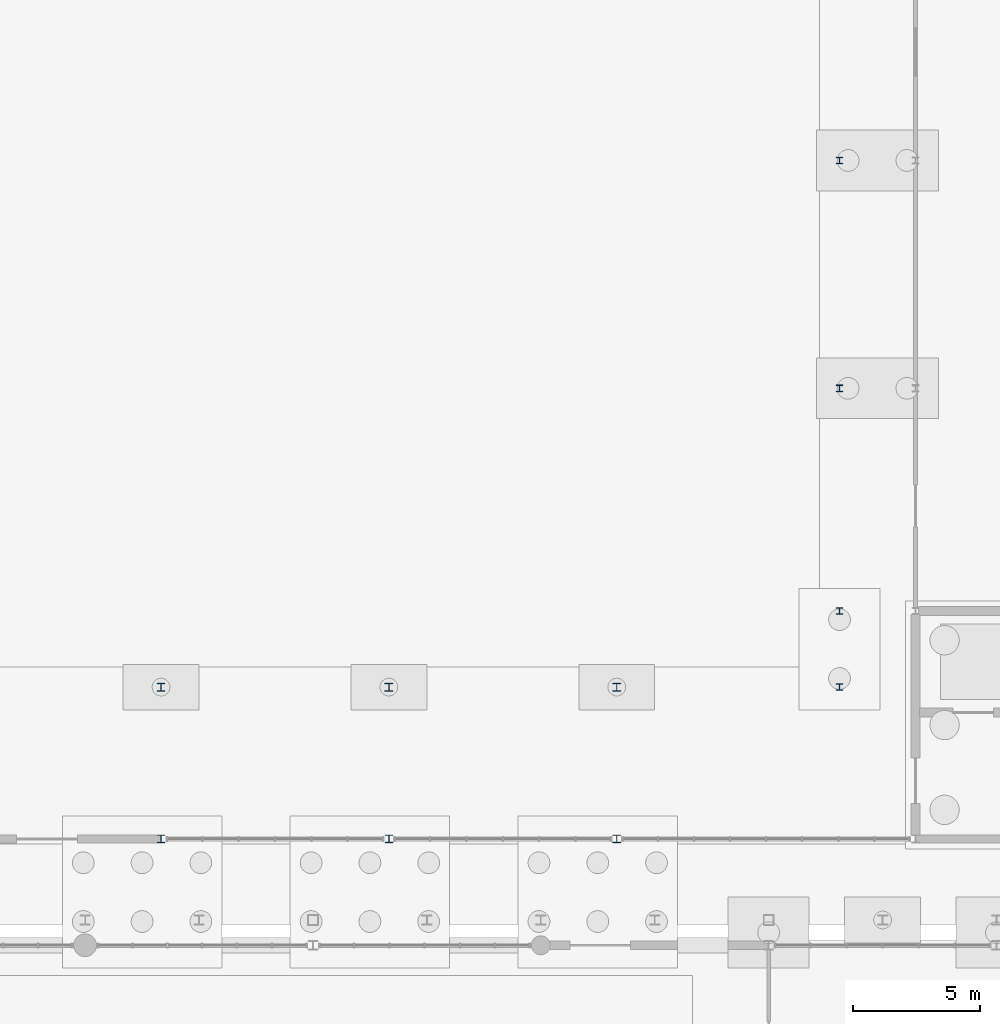
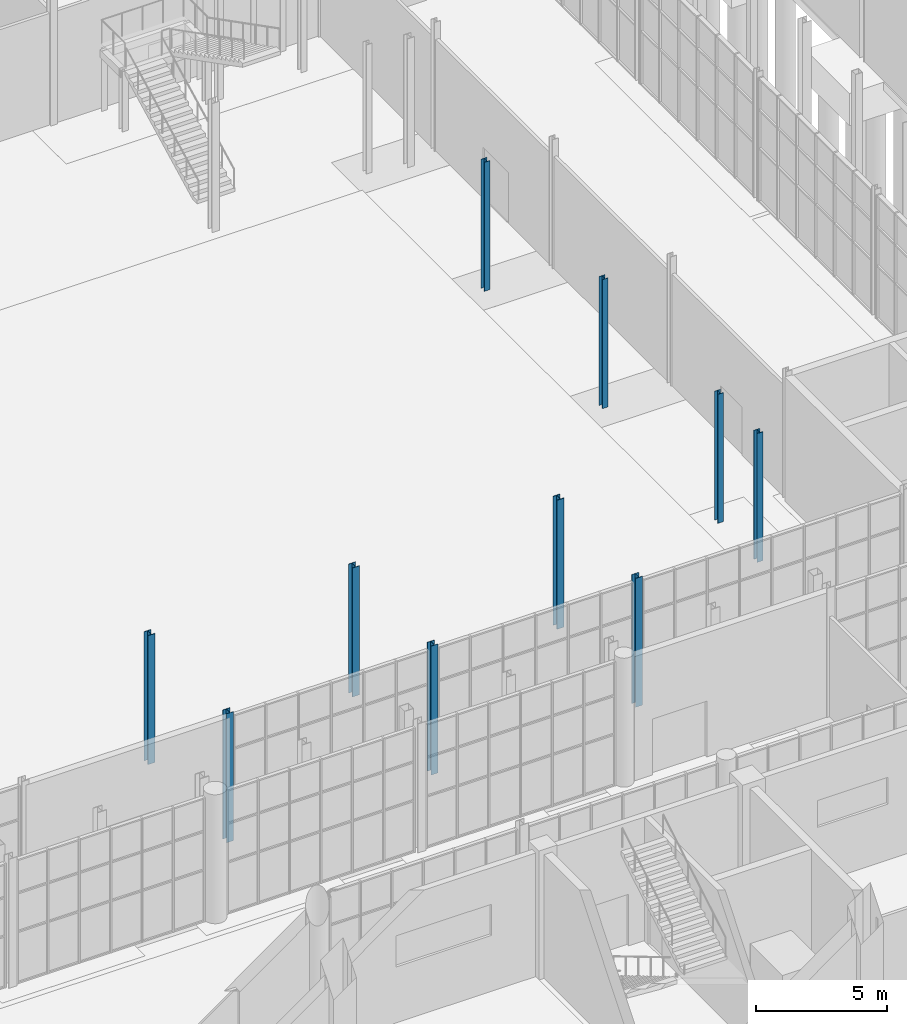
# One storey, part 31 of 131: 10 columns.
"""IFC4 building model written with IfcOpenShell, lengths in metres."""

import ifcopenshell
import ifcopenshell.guid

model = None  # the IFC model being written
_history = None  # IfcOwnerHistory: only IFC2X3 demands one
_inside = {}  # id of a spatial element -> (the spatial element, [elements in it])
_under = {}  # id of a project, library or spatial element -> (it, [spatial elements below it])
_declared = {}  # id of a project -> (the project, [libraries it declares])
_typed = {}  # id of a type object -> (the type object, [elements of that type])
_made_of = {}  # id of a material, layer set ... -> (it, [elements and type objects made of it])


def new_model(schema):
    """Start an empty IFC model of exactly this schema.

    Asked for "IFC4X3", IfcOpenShell would pick the latest addendum, in which some entities
    have other attributes; the version numbers below select the first issue.
    IFC2X3 requires an IfcOwnerHistory on every rooted entity: one is made here for all.
    """
    global model, _history
    if schema == "IFC4X3":
        model = ifcopenshell.file(schema_version=(4, 3, 0, 0))
    else:
        model = ifcopenshell.file(schema=schema)
    _inside.clear()
    _under.clear()
    _declared.clear()
    _typed.clear()
    _made_of.clear()
    _history = None
    if model.schema == "IFC2X3":
        org = make("IfcOrganization", Name="unknown")
        user = make(
            "IfcPersonAndOrganization",
            ThePerson=make("IfcPerson", FamilyName="unknown"),
            TheOrganization=org,
        )
        app = make(
            "IfcApplication",
            ApplicationDeveloper=org,
            Version="unknown",
            ApplicationFullName="unknown",
            ApplicationIdentifier="unknown",
        )
        _history = make(
            "IfcOwnerHistory",
            OwningUser=user,
            OwningApplication=app,
            ChangeAction="ADDED",
            CreationDate=0,
        )
    return model


def make(cls, **values):
    """One entity of the class cls with the attributes given. An attribute that is None is left unset."""
    return model.create_entity(
        cls, **{name: value for name, value in values.items() if value is not None}
    )


def rooted(cls, **values):
    """An entity with a GlobalId (a new one), such as an element, a storey or a relation."""
    return make(cls, GlobalId=ifcopenshell.guid.new(), OwnerHistory=_history, **values)


def si_unit(unit_type, name, prefix=None):
    """IfcSIUnit, for example si_unit("LENGTHUNIT", "METRE", prefix="MILLI")."""
    return make("IfcSIUnit", UnitType=unit_type, Prefix=prefix, Name=name)


def assignment(units):
    """IfcUnitAssignment: the units of a project."""
    return None if units is None else make("IfcUnitAssignment", Units=units)


def point(xyz):
    """IfcCartesianPoint."""
    return None if xyz is None else make("IfcCartesianPoint", Coordinates=xyz)


def direction(xyz):
    """IfcDirection."""
    return None if xyz is None else make("IfcDirection", DirectionRatios=xyz)


def frame(location, z_axis=None, x_axis=None):
    """IfcAxis2Placement3D, a coordinate frame: its origin and axes. An axis left out is left unset."""
    return make(
        "IfcAxis2Placement3D",
        Location=point(location),
        Axis=direction(z_axis),
        RefDirection=direction(x_axis),
    )


def frame_2d(location, x_axis=None):
    """IfcAxis2Placement2D, a coordinate frame in the plane: its origin and x axis."""
    return make(
        "IfcAxis2Placement2D", Location=point(location), RefDirection=direction(x_axis)
    )


def origin():
    """The frame at (0, 0, 0) with its axes left unset."""
    return frame((0.0, 0.0, 0.0))


def origin_2d():
    """The frame at (0, 0) in the plane with its x axis left unset."""
    return frame_2d((0.0, 0.0))


def place(relative_to, where):
    """IfcLocalPlacement: puts the frame where relative to a parent placement (None: the world)."""
    return make(
        "IfcLocalPlacement", PlacementRelTo=relative_to, RelativePlacement=where
    )


def context(
    kind, dimensions, precision=None, world=None, true_north=None, identifier=None
):
    """IfcGeometricRepresentationContext, for example the 3D "Model" context."""
    return make(
        "IfcGeometricRepresentationContext",
        ContextIdentifier=identifier,
        ContextType=kind,
        CoordinateSpaceDimension=dimensions,
        Precision=precision,
        WorldCoordinateSystem=world,
        TrueNorth=true_north,
    )


def subcontext(parent, identifier, kind, view, scale=None):
    """IfcGeometricRepresentationSubContext, for example "Body" below "Model"."""
    return make(
        "IfcGeometricRepresentationSubContext",
        ContextIdentifier=identifier,
        ContextType=kind,
        ParentContext=parent,
        TargetScale=scale,
        TargetView=view,
    )


def project(units=None, contexts=None):
    """IfcProject with its units and contexts."""
    return rooted(
        "IfcProject",
        Name="project",
        RepresentationContexts=contexts,
        UnitsInContext=assignment(units),
    )


def spatial(cls, under=None, at=None, **own):
    """A site, building, storey or space (cls), placed at a placement, below another one or the project."""
    s = rooted(cls, ObjectPlacement=at, **own)
    if under is not None:
        _under.setdefault(under.id(), (under, []))[1].append(s)
    return s


def profile(cls, at=None, kind="AREA", **sizes):
    """A parametric profile (cls). Its sizes go by their IFC names, for example OverallWidth=200.0."""
    return make(cls, ProfileType=kind, Position=at, **sizes)


def i_section(**sizes):
    """IfcIShapeProfileDef."""
    return profile("IfcIShapeProfileDef", **sizes)


def extrude(swept, where, along, depth):
    """IfcExtrudedAreaSolid: the profile swept, set in the frame where, extruded along a direction by depth."""
    return make(
        "IfcExtrudedAreaSolid",
        SweptArea=swept,
        Position=where,
        ExtrudedDirection=direction(along),
        Depth=depth,
    )


def shape(context_of_items, identifier, shape_type, items):
    """IfcShapeRepresentation: the items that make up one representation, for example the "Body"."""
    return make(
        "IfcShapeRepresentation",
        ContextOfItems=context_of_items,
        RepresentationIdentifier=identifier,
        RepresentationType=shape_type,
        Items=items,
    )


def material(Name=None, Category=None):
    """IfcMaterial."""
    return make("IfcMaterial", Name=Name, Category=Category)


def material_profile(
    of_material, cross_section, Name=None, Category=None, Priority=None
):
    """IfcMaterialProfile: a cross section and its material."""
    return make(
        "IfcMaterialProfile",
        Name=Name,
        Material=of_material,
        Profile=cross_section,
        Priority=Priority,
        Category=Category,
    )


def profile_set(profiles, Name=None, composite=None):
    """IfcMaterialProfileSet."""
    return make(
        "IfcMaterialProfileSet",
        Name=Name,
        MaterialProfiles=profiles,
        CompositeProfile=composite,
    )


def made_of(thing, what):
    """Note that an element or type object is made of a material, layer set ...; save() writes the relation."""
    if what is not None:
        _made_of.setdefault(what.id(), (what, []))[1].append(thing)
    return thing


def type_object(cls, material=None, **own):
    """A type object (cls), such as IfcWallType, which elements share."""
    return made_of(rooted(cls, **own), material)


def element(
    cls,
    number,
    at=None,
    inside=None,
    cuts=None,
    type_object=None,
    material=None,
    context=None,
    identifier="Body",
    shape_type=None,
    held_by="IfcProductDefinitionShape",
    body=None,
    shapes=None,
    **own,
):
    """One element of the class cls, such as IfcWall. Its Tag is "e" and its number.

    at: its placement. inside: the storey or other place that contains it. cuts: it is an
    opening in that element (IfcRelVoidsElement). A single representation is given by context,
    identifier, shape_type and body (its items); several are given by shapes. held_by: the class
    of the entity that holds the representations. save() writes the other relations.
    """
    e = rooted(cls, Tag="e%d" % number, ObjectPlacement=at, **own)
    if body is not None:
        shapes = [shape(context, identifier, shape_type, body)]
    if shapes is not None:
        e.Representation = make(held_by, Representations=shapes)
    if inside is not None:
        _inside.setdefault(inside.id(), (inside, []))[1].append(e)
    if cuts is not None:
        rooted(
            "IfcRelVoidsElement", RelatingBuildingElement=cuts, RelatedOpeningElement=e
        )
    if type_object is not None:
        _typed.setdefault(type_object.id(), (type_object, []))[1].append(e)
    return made_of(e, material)


def aggregate(whole, parts):
    """IfcRelAggregates: a whole, such as a stair, and the parts it consists of."""
    return rooted("IfcRelAggregates", RelatingObject=whole, RelatedObjects=parts)


def save(model, path):
    """Write the relations noted so far, then the file.

    IfcRelAggregates (storeys below a building ...), IfcRelContainedInSpatialStructure (elements
    in a storey), IfcRelDefinesByType, IfcRelAssociatesMaterial and IfcRelDeclares: one each for
    every whole, place, type object, material and project.
    """
    for whole, parts in _under.values():
        aggregate(whole, parts)
    for where, things in _inside.values():
        rooted(
            "IfcRelContainedInSpatialStructure",
            RelatedElements=things,
            RelatingStructure=where,
        )
    for kind, things in _typed.values():
        rooted("IfcRelDefinesByType", RelatedObjects=things, RelatingType=kind)
    for what, things in _made_of.values():
        rooted("IfcRelAssociatesMaterial", RelatedObjects=things, RelatingMaterial=what)
    for by, libraries in _declared.values():
        rooted("IfcRelDeclares", RelatingContext=by, RelatedDefinitions=libraries)
    model.write(path)


model = new_model("IFC4")

# Units and contexts
model_context = context("Model", 3, precision=1e-05, world=origin(), true_north=direction((0.0, 1.0)))
body_context = subcontext(model_context, "Body", "Model", "MODEL_VIEW")
ifc_project = project(units=[si_unit("LENGTHUNIT", "METRE"), si_unit("AREAUNIT", "SQUARE_METRE"), si_unit("VOLUMEUNIT", "CUBIC_METRE"), si_unit("PLANEANGLEUNIT", "RADIAN"), si_unit("MASSUNIT", "GRAM", prefix="KILO")], contexts=[model_context])

# Site, building, storey
site_placement = place(None, origin())
site = spatial("IfcSite", under=ifc_project, at=site_placement, CompositionType="ELEMENT")
building_placement = place(site_placement, origin())
building = spatial("IfcBuilding", under=site, at=building_placement, Name="Cazmaro Siding Exhibition Halls", CompositionType="ELEMENT")
storey_placement = place(building_placement, origin())
storey = spatial("IfcBuildingStorey", under=building, at=storey_placement, Name="L00", CompositionType="ELEMENT", Elevation=0.0)

# Columns
ifc_material_1 = material(Name="Steel ASTM A992 Grade 50", Category="steel")
ifc_material_profile_1 = material_profile(ifc_material_1, i_section(OverallWidth=0.304931640625, OverallDepth=0.306884765625, WebThickness=0.010009765625, FlangeThickness=0.014892578125, at=origin_2d()), Name="W12X65")
ifc_profile_set_1 = profile_set([ifc_material_profile_1], Name="Steel ASTM A992 Grade 50")
column_type_1 = type_object("IfcColumnType", Name="C-06", PredefinedType="COLUMN", material=ifc_profile_set_1)
for number, where, z_axis, x_axis, name in (
    (1, (129.0, 67.199951171875, 0.0), (0.0, 0.0, 1.0), (1.0, 0.0, 0.0), "Column C-06 COL-0345"),
    (2, (138.0, 67.199951171875, 0.0), (0.0, 0.0, 1.0), (1.0, 0.0, 0.0), "Column C-06 COL-0355"),
    (3, (147.0, 67.199951171875, 0.0), (0.0, 0.0, 1.0), (1.0, 0.0, 0.0), "Column C-06 COL-0365"),
):
    element("IfcColumn", number, at=place(storey_placement, frame(where, z_axis=z_axis, x_axis=x_axis)), inside=storey, type_object=column_type_1, Name=name, PredefinedType="COLUMN", context=body_context, shape_type="SweptSolid", body=[
        extrude(i_section(OverallWidth=0.304931640625, OverallDepth=0.306884765625, WebThickness=0.010009765625, FlangeThickness=0.014892578125, at=origin_2d()), origin(), (0.0, 0.0, 1.0), 6.0),
    ])
ifc_material_2 = material(Name="Steel ASTM A992 Grade 50", Category="steel")
ifc_material_profile_2 = material_profile(ifc_material_2, i_section(OverallWidth=0.30908203125, OverallDepth=0.320068359375, WebThickness=0.013916015625, FlangeThickness=0.02294921875, at=origin_2d()), Name="W12X96")
ifc_profile_set_2 = profile_set([ifc_material_profile_2], Name="Steel ASTM A992 Grade 50")
column_type_2 = type_object("IfcColumnType", Name="C-13", PredefinedType="COLUMN", material=ifc_profile_set_2)
for number, where, z_axis, x_axis, name in (
    (4, (129.0, 73.199951171875, 0.0), (0.0, 0.0, 1.0), (1.0, 0.0, 0.0), "Column C-13 COL-0348"),
    (5, (138.0, 73.199951171875, 0.0), (0.0, 0.0, 1.0), (1.0, 0.0, 0.0), "Column C-13 COL-0358"),
    (6, (147.0, 73.199951171875, 0.0), (0.0, 0.0, 1.0), (1.0, 0.0, 0.0), "Column C-13 COL-0368"),
):
    element("IfcColumn", number, at=place(storey_placement, frame(where, z_axis=z_axis, x_axis=x_axis)), inside=storey, type_object=column_type_2, Name=name, PredefinedType="COLUMN", context=body_context, shape_type="SweptSolid", body=[
        extrude(i_section(OverallWidth=0.30908203125, OverallDepth=0.320068359375, WebThickness=0.013916015625, FlangeThickness=0.02294921875, at=origin_2d()), origin(), (0.0, 0.0, 1.0), 6.0),
    ])
ifc_material_3 = material(Name="Steel ASTM A992 Grade 50", Category="steel")
ifc_material_profile_3 = material_profile(ifc_material_3, i_section(OverallWidth=0.257080078125, OverallDepth=0.263916015625, WebThickness=0.011962890625, FlangeThickness=0.02001953125, at=origin_2d()), Name="W10X68")
ifc_profile_set_3 = profile_set([ifc_material_profile_3], Name="Steel ASTM A992 Grade 50")
column_type_3 = type_object("IfcColumnType", Name="C-14", PredefinedType="COLUMN", material=ifc_profile_set_3)
for number, where, z_axis, x_axis, name in (
    (7, (155.800048828125, 76.199951171875, 0.0), (0.0, 0.0, 1.0), (1.0, 0.0, 0.0), "Column C-14 COL-0420"),
    (8, (155.800048828125, 85.0, 0.0), (0.0, 0.0, 1.0), (1.0, 0.0, 0.0), "Column C-14 COL-0422"),
    (9, (155.800048828125, 94.0, 0.0), (0.0, 0.0, 1.0), (1.0, 0.0, 0.0), "Column C-14 COL-0424"),
    (10, (155.800048828125, 73.199951171875, 0.0), (0.0, 0.0, 1.0), (1.0, 0.0, 0.0), "Column C-14 COL-0453"),
):
    element("IfcColumn", number, at=place(storey_placement, frame(where, z_axis=z_axis, x_axis=x_axis)), inside=storey, type_object=column_type_3, Name=name, PredefinedType="COLUMN", context=body_context, shape_type="SweptSolid", body=[
        extrude(i_section(OverallWidth=0.257080078125, OverallDepth=0.263916015625, WebThickness=0.011962890625, FlangeThickness=0.02001953125, at=origin_2d()), origin(), (0.0, 0.0, 1.0), 6.0),
    ])

save(model, "model.ifc")
